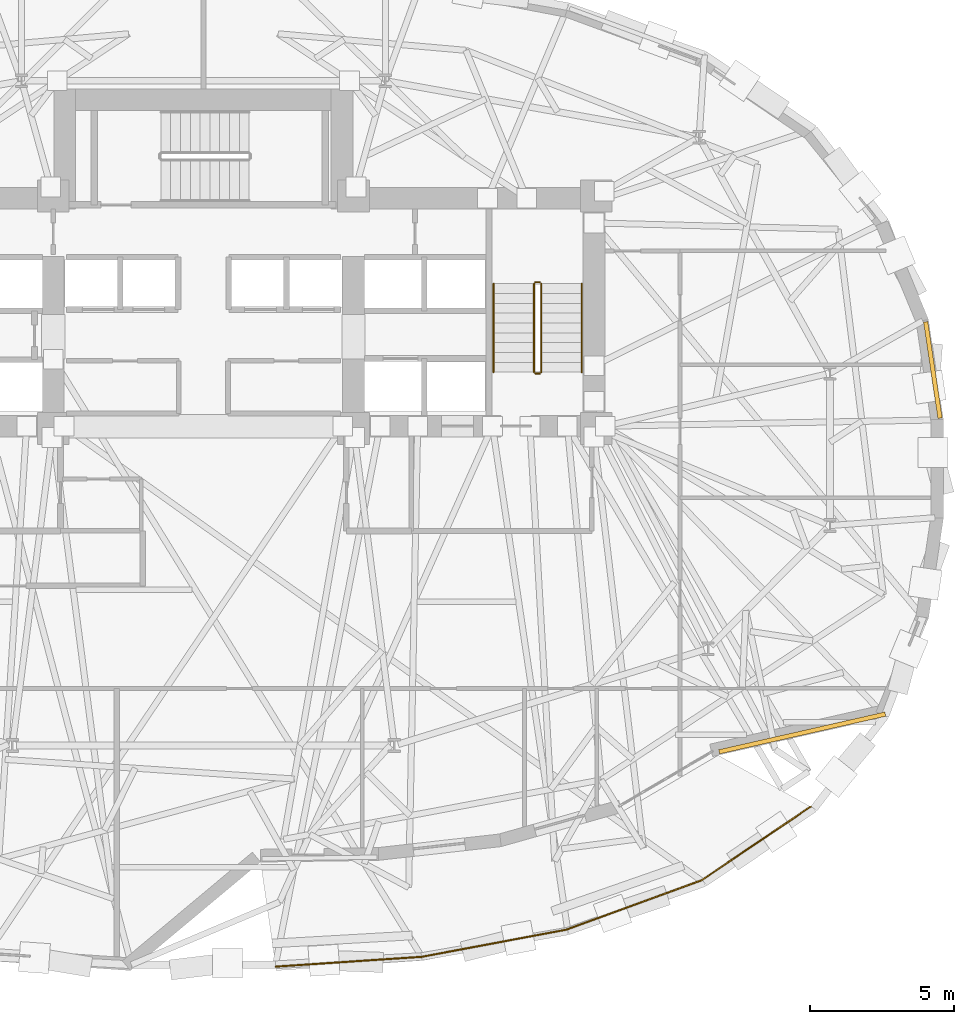
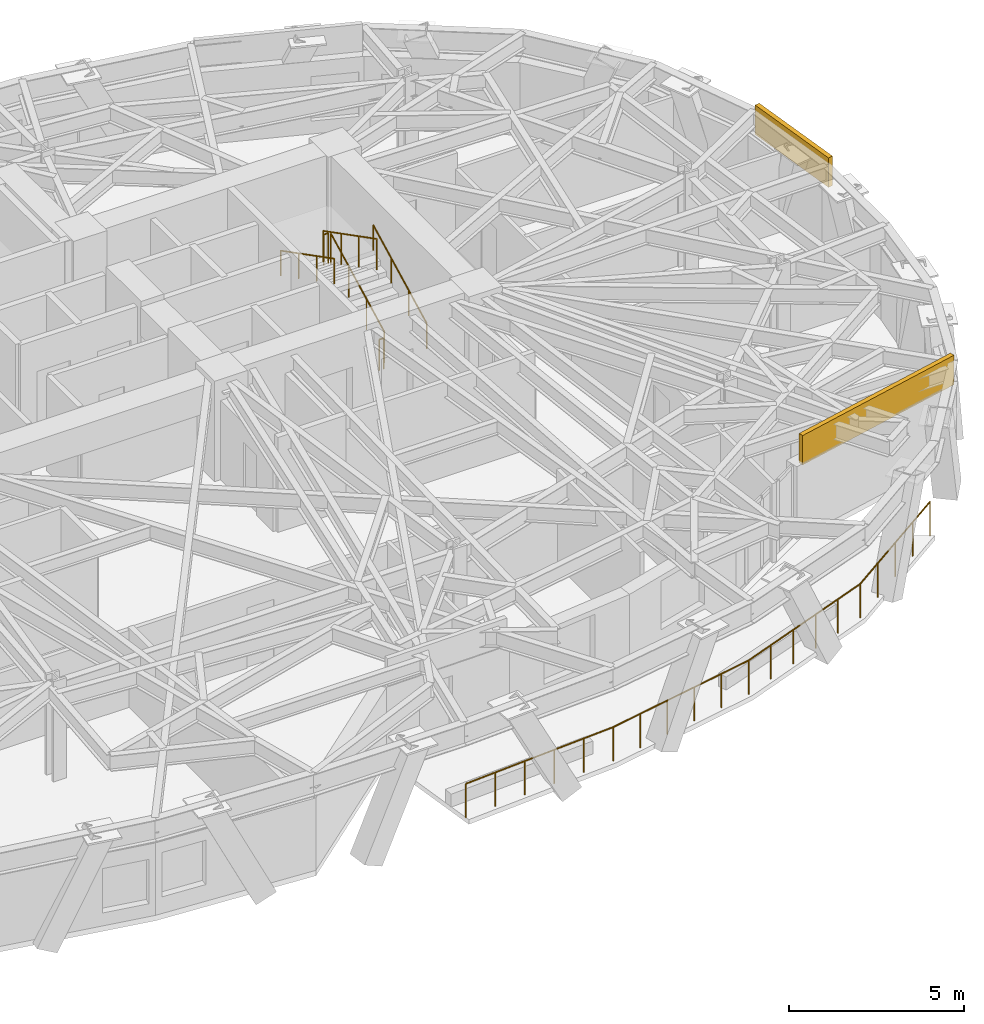
# One storey, part 13 of 14: 7 railings, 2 coverings.
"""IFC4 building model written with IfcOpenShell, lengths in metres."""

from ifc_helpers import new_model, si_unit, direction, frame, origin, origin_2d, place, context, subcontext, project, spatial, rectangle, circle, extrude, material, layer, layer_set, type_object, element, save


model = new_model("IFC4")

# Units and contexts
model_context = context("Model", 3, precision=1e-05, world=origin(), true_north=direction((0.0, 1.0)))
body_context = subcontext(model_context, "Body", "Model", "MODEL_VIEW")
ifc_project = project(units=[si_unit("LENGTHUNIT", "METRE"), si_unit("AREAUNIT", "SQUARE_METRE"), si_unit("VOLUMEUNIT", "CUBIC_METRE"), si_unit("PLANEANGLEUNIT", "RADIAN"), si_unit("MASSUNIT", "GRAM", prefix="KILO")], contexts=[model_context])

# Site, building, storey
site_placement = place(None, origin())
site = spatial("IfcSite", under=ifc_project, at=site_placement, CompositionType="ELEMENT")
building_placement = place(site_placement, origin())
building = spatial("IfcBuilding", under=site, at=building_placement, Name="Keldmark Tower", CompositionType="ELEMENT")
storey_placement = place(building_placement, frame((0.0, 0.0, 128.10009765625)))
storey = spatial("IfcBuildingStorey", under=building, at=storey_placement, Name="L34", CompositionType="ELEMENT", Elevation=128.10009765625)

# Railing
ifc_material_1 = material(Name="DuPont SentryGlas Laminated Glass and Stainless Posts", Category="glass")
railing_type_1 = type_object("IfcRailingType", Name="Heated Laminated Glass Wind-Baffle Guard 1200 mm", PredefinedType="GUARDRAIL", material=ifc_material_1)
railing_1_placement = place(storey_placement, frame((2.50390625, -17.236572265625, 0.0)))
element("IfcRailing", 1, at=railing_1_placement, inside=storey, type_object=railing_type_1, Name="L34 Terrace Laminated Glass Wind-Baffle Guard TERR 01", PredefinedType="GUARDRAIL", context=body_context, shape_type="SweptSolid", body=[
    extrude(circle(Radius=0.02392578125, at=origin_2d()), frame((0.0, 0.0, 1.17578125), z_axis=(0.997761646501, 0.066870746757, 0.0), x_axis=(-0.066870746757, 0.997761646501, 0.0)), (0.0, 0.0, 1.0), 5.0673828125),
    extrude(circle(Radius=0.02392578125, at=origin_2d()), frame((5.05615234375, 0.3388671875, 1.17578125), z_axis=(0.982810422103, 0.184617643268, 0.0), x_axis=(-0.184617643268, 0.982810422103, 0.0)), (0.0, 0.0, 1.0), 5.105712890625),
    extrude(circle(Radius=0.02392578125, at=origin_2d()), frame((10.07421875, 1.281494140625, 1.17578125), z_axis=(0.93924878741, 0.343237112429, 0.0), x_axis=(-0.343237112429, 0.93924878741, 0.0)), (0.0, 0.0, 1.0), 4.97119140625),
    extrude(circle(Radius=0.02392578125, at=origin_2d()), frame((14.743408203125, 2.98779296875, 1.17578125), z_axis=(0.828855505124, 0.559462734797, 0.0), x_axis=(-0.559462734797, 0.828855505124, 0.0)), (0.0, 0.0, 1.0), 4.5576171875),
    extrude(circle(Radius=0.02099609375, at=origin_2d()), origin(), (0.0, 0.0, 1.0), 1.15185546875),
    extrude(circle(Radius=0.02099609375, at=origin_2d()), frame((1.01123046875, 0.06787109375, 0.0)), (0.0, 0.0, 1.0), 1.15185546875),
    extrude(circle(Radius=0.02099609375, at=origin_2d()), frame((2.0224609375, 0.135498046875, 0.0)), (0.0, 0.0, 1.0), 1.15185546875),
    extrude(circle(Radius=0.02099609375, at=origin_2d()), frame((3.03369140625, 0.203369140625, 0.0)), (0.0, 0.0, 1.0), 1.15185546875),
    extrude(circle(Radius=0.02099609375, at=origin_2d()), frame((4.044921875, 0.27099609375, 0.0)), (0.0, 0.0, 1.0), 1.15185546875),
    extrude(circle(Radius=0.02099609375, at=origin_2d()), frame((5.05615234375, 0.3388671875, 0.0)), (0.0, 0.0, 1.0), 1.15185546875),
    extrude(circle(Radius=0.02099609375, at=origin_2d()), frame((6.059814453125, 0.52734375, 0.0)), (0.0, 0.0, 1.0), 1.15185546875),
    extrude(circle(Radius=0.02099609375, at=origin_2d()), frame((7.0634765625, 0.7158203125, 0.0)), (0.0, 0.0, 1.0), 1.15185546875),
    extrude(circle(Radius=0.02099609375, at=origin_2d()), frame((8.06689453125, 0.904541015625, 0.0)), (0.0, 0.0, 1.0), 1.15185546875),
    extrude(circle(Radius=0.02099609375, at=origin_2d()), frame((9.070556640625, 1.093017578125, 0.0)), (0.0, 0.0, 1.0), 1.15185546875),
    extrude(circle(Radius=0.02099609375, at=origin_2d()), frame((10.07421875, 1.281494140625, 0.0)), (0.0, 0.0, 1.0), 1.15185546875),
    extrude(circle(Radius=0.02099609375, at=origin_2d()), frame((11.008056640625, 1.622802734375, 0.0)), (0.0, 0.0, 1.0), 1.15185546875),
    extrude(circle(Radius=0.02099609375, at=origin_2d()), frame((11.94189453125, 1.964111328125, 0.0)), (0.0, 0.0, 1.0), 1.15185546875),
    extrude(circle(Radius=0.02099609375, at=origin_2d()), frame((12.875732421875, 2.30517578125, 0.0)), (0.0, 0.0, 1.0), 1.15185546875),
    extrude(circle(Radius=0.02099609375, at=origin_2d()), frame((13.8095703125, 2.646484375, 0.0)), (0.0, 0.0, 1.0), 1.15185546875),
    extrude(circle(Radius=0.02099609375, at=origin_2d()), frame((14.743408203125, 2.98779296875, 0.0)), (0.0, 0.0, 1.0), 1.15185546875),
    extrude(circle(Radius=0.02099609375, at=origin_2d()), frame((15.687744140625, 3.625244140625, 0.0)), (0.0, 0.0, 1.0), 1.15185546875),
    extrude(circle(Radius=0.02099609375, at=origin_2d()), frame((16.63232421875, 4.2626953125, 0.0)), (0.0, 0.0, 1.0), 1.15185546875),
    extrude(circle(Radius=0.02099609375, at=origin_2d()), frame((17.57666015625, 4.900146484375, 0.0)), (0.0, 0.0, 1.0), 1.15185546875),
    extrude(circle(Radius=0.02099609375, at=origin_2d()), frame((18.52099609375, 5.53759765625, 0.0)), (0.0, 0.0, 1.0), 1.15185546875),
])

# Coverings
ifc_material_2 = material(Name="Honed Kasota Buff Dolomitic Limestone", Category="masonry")
ifc_layer = layer(ifc_material_2, 0.074951171875)
ifc_layer_set = layer_set([ifc_layer], Name="Honed Kasota Buff Dolomitic Limestone")
covering_type = type_object("IfcCoveringType", Name="Kasota Buff Limestone Spandrel Cladding Band", PredefinedType="CLADDING", material=ifc_layer_set)
covering_1_placement = place(storey_placement, frame((25.260009765625, 3.421630859375, 2.45166015625), z_axis=(0.0, 0.0, 1.0), x_axis=(-0.147671317024, 0.989036491808, 0.0)))
element("IfcCovering", 2, at=covering_1_placement, inside=storey, type_object=covering_type, Name="L34 Kasota Limestone Spandrel Band 01", PredefinedType="CLADDING", context=body_context, shape_type="SweptSolid", body=[
    extrude(rectangle(XDim=3.37158203125, YDim=0.14990234375, at=origin_2d()), origin(), (0.0, 0.0, 1.0), 1.028076171875),
])
covering_2_placement = place(storey_placement, frame((20.736083984375, -9.14599609375, 2.45166015625), z_axis=(0.0, 0.0, 1.0), x_axis=(0.975180278806, 0.221412338925, 0.0)))
element("IfcCovering", 3, at=covering_2_placement, inside=storey, type_object=covering_type, Name="L34 Kasota Limestone Spandrel Band 29", PredefinedType="CLADDING", context=body_context, shape_type="SweptSolid", body=[
    extrude(rectangle(XDim=5.897216796875, YDim=0.14990234375, at=origin_2d()), origin(), (0.0, 0.0, 1.0), 1.028076171875),
])

# Railings
ifc_material_3 = material(Name="Painted Steel ASTM A500 Grade B", Category="steel")
railing_type_2 = type_object("IfcRailingType", Name="Painted Steel Stair Well Guard 1100 mm", PredefinedType="GUARDRAIL", material=ifc_material_3)
railing_2_placement = place(storey_placement, frame((11.699951171875, 3.35009765625, 0.1748046875)))
element("IfcRailing", 4, at=railing_2_placement, inside=storey, type_object=railing_type_2, Name="L34 ST2 stair guard 1", PredefinedType="GUARDRAIL", context=body_context, shape_type="SweptSolid", body=[
    extrude(circle(Radius=0.02392578125, at=origin_2d()), frame((0.0, 0.0, 1.076171875), z_axis=(0.0, 0.889101422983, 0.457710235465), x_axis=(-1.0, 0.0, 0.0)), (0.0, 0.0, 1.0), 3.44140625),
    extrude(circle(Radius=0.02099609375, at=origin_2d()), origin(), (0.0, 0.0, 1.0), 1.052001953125),
    extrude(circle(Radius=0.02099609375, at=origin_2d()), frame((0.0, 1.02001953125, 0.525146484375)), (0.0, 0.0, 1.0), 1.052001953125),
    extrude(circle(Radius=0.02099609375, at=origin_2d()), frame((0.0, 2.039794921875, 1.050048828125)), (0.0, 0.0, 1.0), 1.052001953125),
    extrude(circle(Radius=0.02099609375, at=origin_2d()), frame((0.0, 3.059814453125, 1.5751953125)), (0.0, 0.0, 1.0), 1.052001953125),
])
railing_3_placement = place(storey_placement, frame((11.64990234375, 6.4599609375, 1.75)))
element("IfcRailing", 5, at=railing_3_placement, inside=storey, type_object=railing_type_2, Name="L34 ST2 stair guard 2", PredefinedType="GUARDRAIL", context=body_context, shape_type="SweptSolid", body=[
    extrude(circle(Radius=0.02392578125, at=origin_2d()), frame((0.0, 0.0, 1.076171875), z_axis=(-1.0, 0.0, 0.0), x_axis=(0.0, -1.0, 0.0)), (0.0, 0.0, 1.0), 0.14990234375),
    extrude(circle(Radius=0.02099609375, at=origin_2d()), origin(), (0.0, 0.0, 1.0), 1.052001953125),
    extrude(circle(Radius=0.02099609375, at=origin_2d()), frame((-0.14990234375, 0.0, 0.0)), (0.0, 0.0, 1.0), 1.052001953125),
])
railing_4_placement = place(storey_placement, frame((11.449951171875, 6.409912109375, 1.9248046875)))
element("IfcRailing", 6, at=railing_4_placement, inside=storey, type_object=railing_type_2, Name="L34 ST2 stair guard 3", PredefinedType="GUARDRAIL", context=body_context, shape_type="SweptSolid", body=[
    extrude(circle(Radius=0.02392578125, at=origin_2d()), frame((0.0, 0.0, 1.076171875), z_axis=(0.0, -0.889101422983, 0.457710235465), x_axis=(1.0, 0.0, 0.0)), (0.0, 0.0, 1.0), 3.44140625),
    extrude(circle(Radius=0.02099609375, at=origin_2d()), origin(), (0.0, 0.0, 1.0), 1.052001953125),
    extrude(circle(Radius=0.02099609375, at=origin_2d()), frame((0.0, -1.02001953125, 0.525146484375)), (0.0, 0.0, 1.0), 1.052001953125),
    extrude(circle(Radius=0.02099609375, at=origin_2d()), frame((0.0, -2.039794921875, 1.050048828125)), (0.0, 0.0, 1.0), 1.052001953125),
    extrude(circle(Radius=0.02099609375, at=origin_2d()), frame((0.0, -3.059814453125, 1.5751953125)), (0.0, 0.0, 1.0), 1.052001953125),
])
railing_5_placement = place(storey_placement, frame((11.64990234375, 3.300048828125, 0.0)))
element("IfcRailing", 7, at=railing_5_placement, inside=storey, type_object=railing_type_2, Name="L34 ST2 stair guard 4", PredefinedType="GUARDRAIL", context=body_context, shape_type="SweptSolid", body=[
    extrude(circle(Radius=0.02392578125, at=origin_2d()), frame((0.0, 0.0, 1.076171875), z_axis=(-1.0, 0.0, 0.0), x_axis=(0.0, -1.0, 0.0)), (0.0, 0.0, 1.0), 0.14990234375),
    extrude(circle(Radius=0.02099609375, at=origin_2d()), origin(), (0.0, 0.0, 1.0), 1.052001953125),
    extrude(circle(Radius=0.02099609375, at=origin_2d()), frame((-0.14990234375, 0.0, 0.0)), (0.0, 0.0, 1.0), 1.052001953125),
])
ifc_material_4 = material(Name="Stainless Steel AISI 316L", Category="steel")
railing_type_3 = type_object("IfcRailingType", Name="Stainless Steel Stair Handrail 900 mm", PredefinedType="HANDRAIL", material=ifc_material_4)
railing_6_placement = place(storey_placement, frame((13.10009765625, 3.35009765625, 0.1748046875)))
element("IfcRailing", 8, at=railing_6_placement, inside=storey, type_object=railing_type_3, Name="L34 ST2 stair handrail 1", PredefinedType="HANDRAIL", context=body_context, shape_type="SweptSolid", body=[
    extrude(circle(Radius=0.02392578125, at=origin_2d()), frame((0.0, 0.0, 0.8759765625), z_axis=(0.0, 0.889101422983, 0.457710235465), x_axis=(-1.0, 0.0, 0.0)), (0.0, 0.0, 1.0), 3.44140625),
    extrude(circle(Radius=0.02099609375, at=origin_2d()), origin(), (0.0, 0.0, 1.0), 0.851806640625),
    extrude(circle(Radius=0.02099609375, at=origin_2d()), frame((0.0, 1.02001953125, 0.525146484375)), (0.0, 0.0, 1.0), 0.851806640625),
    extrude(circle(Radius=0.02099609375, at=origin_2d()), frame((0.0, 2.039794921875, 1.050048828125)), (0.0, 0.0, 1.0), 0.851806640625),
    extrude(circle(Radius=0.02099609375, at=origin_2d()), frame((0.0, 3.059814453125, 1.5751953125)), (0.0, 0.0, 1.0), 0.851806640625),
])
railing_7_placement = place(storey_placement, frame((10.050048828125, 6.409912109375, 1.9248046875)))
element("IfcRailing", 9, at=railing_7_placement, inside=storey, type_object=railing_type_3, Name="L34 ST2 stair handrail 2", PredefinedType="HANDRAIL", context=body_context, shape_type="SweptSolid", body=[
    extrude(circle(Radius=0.02392578125, at=origin_2d()), frame((0.0, 0.0, 0.8759765625), z_axis=(0.0, -0.889101422983, 0.457710235465), x_axis=(1.0, 0.0, 0.0)), (0.0, 0.0, 1.0), 3.44140625),
    extrude(circle(Radius=0.02099609375, at=origin_2d()), origin(), (0.0, 0.0, 1.0), 0.851806640625),
    extrude(circle(Radius=0.02099609375, at=origin_2d()), frame((0.0, -1.02001953125, 0.525146484375)), (0.0, 0.0, 1.0), 0.851806640625),
    extrude(circle(Radius=0.02099609375, at=origin_2d()), frame((0.0, -2.039794921875, 1.050048828125)), (0.0, 0.0, 1.0), 0.851806640625),
    extrude(circle(Radius=0.02099609375, at=origin_2d()), frame((0.0, -3.059814453125, 1.5751953125)), (0.0, 0.0, 1.0), 0.851806640625),
])

save(model, "model.ifc")
